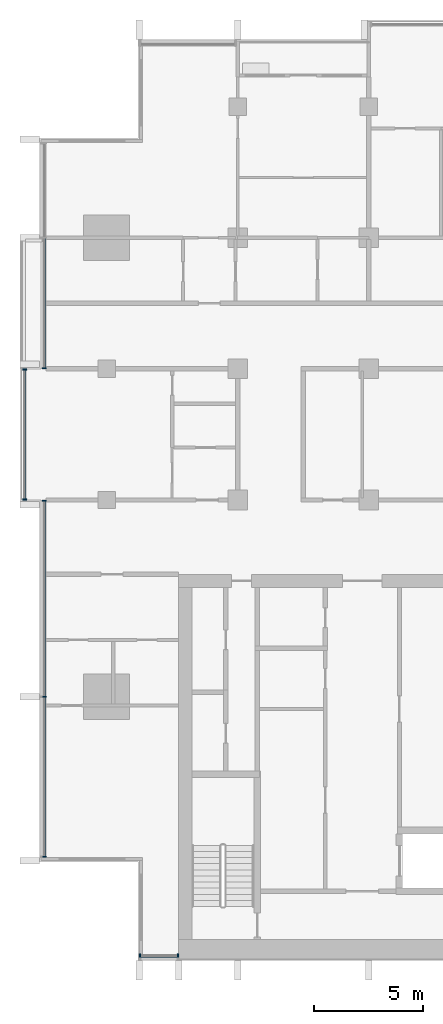
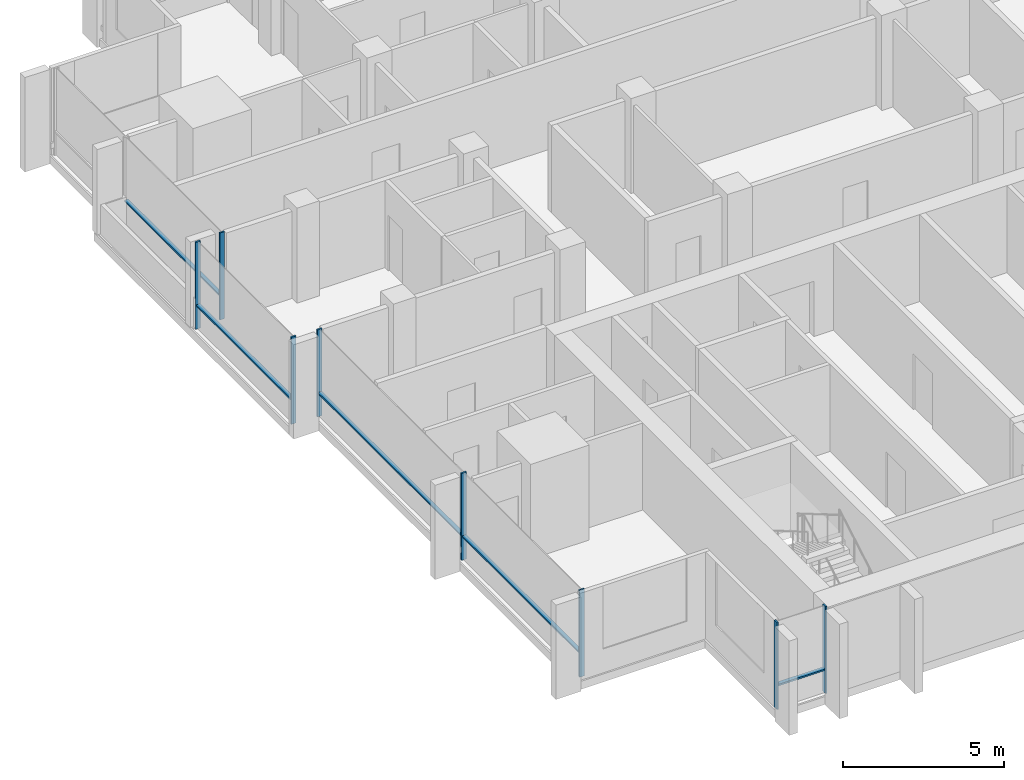
# One storey, part 2 of 16: 13 members, 4 elements without a shape of their own.
"""IFC4 building model written with IfcOpenShell, lengths in metres."""

from ifc_helpers import new_model, si_unit, direction, frame, origin, origin_2d, place, context, subcontext, project, spatial, rectangle, extrude, material, material_profile, profile_set, type_object, element, aggregate, save


model = new_model("IFC4")

# Units and contexts
model_context = context("Model", 3, precision=1e-05, world=origin(), true_north=direction((0.0, 1.0)))
body_context = subcontext(model_context, "Body", "Model", "MODEL_VIEW")
ifc_project = project(units=[si_unit("LENGTHUNIT", "METRE"), si_unit("AREAUNIT", "SQUARE_METRE"), si_unit("VOLUMEUNIT", "CUBIC_METRE"), si_unit("PLANEANGLEUNIT", "RADIAN"), si_unit("MASSUNIT", "GRAM", prefix="KILO")], contexts=[model_context])

# Site, building, storey
site_placement = place(None, origin())
site = spatial("IfcSite", under=ifc_project, at=site_placement, CompositionType="ELEMENT")
building_placement = place(site_placement, origin())
building = spatial("IfcBuilding", under=site, at=building_placement, Name="Finial Court Residences", CompositionType="ELEMENT")
storey_placement = place(building_placement, frame((0.0, 0.0, 237.5)))
storey = spatial("IfcBuildingStorey", under=building, at=storey_placement, Name="L60", CompositionType="ELEMENT", Elevation=237.5)

# Curtain wall, members
ifc_material = material(Name="Bronze anodised aluminium", Category="aluminium")
curtain_wall_type = type_object("IfcCurtainWallType", Name="Unitised curtain wall, upper zones", PredefinedType="NOTDEFINED", material=ifc_material)
curtain_wall_1_placement = place(storey_placement, origin())
curtain_wall_1 = element("IfcCurtainWall", 1, at=curtain_wall_1_placement, inside=storey, type_object=curtain_wall_type, Name="E-L60-CW-S8", PredefinedType="NOTDEFINED")
ifc_material_profile_1 = material_profile(ifc_material, rectangle(XDim=0.175048828125, YDim=0.06005859375, at=origin_2d()), Name="CW2 mullion 60 x 175")
ifc_profile_set_1 = profile_set([ifc_material_profile_1], Name="Bronze anodised aluminium")
member_type_1 = type_object("IfcMemberType", Name="CW2 mullion 60 x 175", PredefinedType="MULLION", material=ifc_profile_set_1)
member_1_placement = place(storey_placement, frame((-14.969970703125, -25.35009765625, 0.0), z_axis=(0.0, 0.0, 1.0), x_axis=(0.0, 1.0, 0.0)))
member_1 = element("IfcMember", 2, at=member_1_placement, type_object=member_type_1, Name="CW2 mullion 1", PredefinedType="MULLION", context=body_context, shape_type="SweptSolid", body=[
    extrude(rectangle(XDim=0.175048828125, YDim=0.06005859375, at=origin_2d()), origin(), (0.0, 0.0, 1.0), 3.300048828125),
])
member_2_placement = place(storey_placement, frame((-13.22998046875, -25.35009765625, 0.0), z_axis=(0.0, 0.0, 1.0), x_axis=(0.0, 1.0, 0.0)))
member_2 = element("IfcMember", 3, at=member_2_placement, type_object=member_type_1, Name="CW2 mullion 2", PredefinedType="MULLION", context=body_context, shape_type="SweptSolid", body=[
    extrude(rectangle(XDim=0.175048828125, YDim=0.06005859375, at=origin_2d()), origin(), (0.0, 0.0, 1.0), 3.300048828125),
])

curtain_wall_2_placement = place(storey_placement, origin())
curtain_wall_2 = element("IfcCurtainWall", 4, at=curtain_wall_2_placement, inside=storey, type_object=curtain_wall_type, Name="E-L60-CW-W10", PredefinedType="NOTDEFINED")
member_3_placement = place(storey_placement, frame((-19.35009765625, -20.820068359375, 0.0), z_axis=(0.0, 0.0, 1.0), x_axis=(-1.0, 0.0, 0.0)))
member_3 = element("IfcMember", 5, at=member_3_placement, type_object=member_type_1, Name="CW2 mullion 1", PredefinedType="MULLION", context=body_context, shape_type="SweptSolid", body=[
    extrude(rectangle(XDim=0.175048828125, YDim=0.06005859375, at=origin_2d()), origin(), (0.0, 0.0, 1.0), 3.300048828125),
])
member_4_placement = place(storey_placement, frame((-19.35009765625, -13.5, 0.0), z_axis=(0.0, 0.0, 1.0), x_axis=(-1.0, 0.0, 0.0)))
member_4 = element("IfcMember", 6, at=member_4_placement, type_object=member_type_1, Name="CW2 mullion 2", PredefinedType="MULLION", context=body_context, shape_type="SweptSolid", body=[
    extrude(rectangle(XDim=0.175048828125, YDim=0.06005859375, at=origin_2d()), origin(), (0.0, 0.0, 1.0), 3.300048828125),
])
member_5_placement = place(storey_placement, frame((-19.35009765625, -4.530029296875, 0.0), z_axis=(0.0, 0.0, 1.0), x_axis=(-1.0, 0.0, 0.0)))
member_5 = element("IfcMember", 7, at=member_5_placement, type_object=member_type_1, Name="CW2 mullion 3", PredefinedType="MULLION", context=body_context, shape_type="SweptSolid", body=[
    extrude(rectangle(XDim=0.175048828125, YDim=0.06005859375, at=origin_2d()), origin(), (0.0, 0.0, 1.0), 3.300048828125),
])

curtain_wall_3_placement = place(storey_placement, origin())
curtain_wall_3 = element("IfcCurtainWall", 8, at=curtain_wall_3_placement, inside=storey, type_object=curtain_wall_type, Name="E-L60-CW-W11", PredefinedType="NOTDEFINED")
member_6_placement = place(storey_placement, frame((-20.25, -4.469970703125, 0.0), z_axis=(0.0, 0.0, 1.0), x_axis=(-1.0, 0.0, 0.0)))
member_6 = element("IfcMember", 9, at=member_6_placement, type_object=member_type_1, Name="CW2 mullion 1", PredefinedType="MULLION", context=body_context, shape_type="SweptSolid", body=[
    extrude(rectangle(XDim=0.175048828125, YDim=0.06005859375, at=origin_2d()), origin(), (0.0, 0.0, 1.0), 3.300048828125),
])
member_7_placement = place(storey_placement, frame((-20.25, 1.469970703125, 0.0), z_axis=(0.0, 0.0, 1.0), x_axis=(-1.0, 0.0, 0.0)))
member_7 = element("IfcMember", 10, at=member_7_placement, type_object=member_type_1, Name="CW2 mullion 2", PredefinedType="MULLION", context=body_context, shape_type="SweptSolid", body=[
    extrude(rectangle(XDim=0.175048828125, YDim=0.06005859375, at=origin_2d()), origin(), (0.0, 0.0, 1.0), 3.300048828125),
])

# Curtain wall, member
curtain_wall_4_placement = place(storey_placement, origin())
curtain_wall_4 = element("IfcCurtainWall", 11, at=curtain_wall_4_placement, inside=storey, type_object=curtain_wall_type, Name="E-L60-CW-W12", PredefinedType="NOTDEFINED")
member_8_placement = place(storey_placement, frame((-19.35009765625, 1.530029296875, 0.0), z_axis=(0.0, 0.0, 1.0), x_axis=(-1.0, 0.0, 0.0)))
member_8 = element("IfcMember", 12, at=member_8_placement, type_object=member_type_1, Name="CW2 mullion 1", PredefinedType="MULLION", context=body_context, shape_type="SweptSolid", body=[
    extrude(rectangle(XDim=0.175048828125, YDim=0.06005859375, at=origin_2d()), origin(), (0.0, 0.0, 1.0), 3.300048828125),
])

# Member
ifc_material_profile_2 = material_profile(ifc_material, rectangle(XDim=0.139892578125, YDim=0.06005859375, at=origin_2d()), Name="CW2 transom 60 x 140")
ifc_profile_set_2 = profile_set([ifc_material_profile_2], Name="Bronze anodised aluminium")
member_type_2 = type_object("IfcMemberType", Name="CW2 transom 60 x 140", PredefinedType="USERDEFINED", material=ifc_profile_set_2)
member_9_placement = place(storey_placement, frame((-14.93994140625, -25.35009765625, 0.89990234375), z_axis=(1.0, 0.0, 0.0), x_axis=(0.0, 1.0, 0.0)))
member_9 = element("IfcMember", 13, at=member_9_placement, type_object=member_type_2, Name="CW2 transom 1.1", ObjectType="TRANSOM", PredefinedType="USERDEFINED", context=body_context, shape_type="SweptSolid", body=[
    extrude(rectangle(XDim=0.139892578125, YDim=0.06005859375, at=origin_2d()), origin(), (0.0, 0.0, 1.0), 1.679931640625),
])

aggregate(curtain_wall_1, [member_1, member_2, member_9])

member_10_placement = place(storey_placement, frame((-19.35009765625, -20.7900390625, 0.89990234375), z_axis=(0.0, 1.0, 0.0), x_axis=(-1.0, 0.0, 0.0)))
member_10 = element("IfcMember", 14, at=member_10_placement, type_object=member_type_2, Name="CW2 transom 1.1", ObjectType="TRANSOM", PredefinedType="USERDEFINED", context=body_context, shape_type="SweptSolid", body=[
    extrude(rectangle(XDim=0.139892578125, YDim=0.06005859375, at=origin_2d()), origin(), (0.0, 0.0, 1.0), 7.260009765625),
])

member_11_placement = place(storey_placement, frame((-19.35009765625, -13.469970703125, 0.89990234375), z_axis=(0.0, 1.0, 0.0), x_axis=(-1.0, 0.0, 0.0)))
member_11 = element("IfcMember", 15, at=member_11_placement, type_object=member_type_2, Name="CW2 transom 2.1", ObjectType="TRANSOM", PredefinedType="USERDEFINED", context=body_context, shape_type="SweptSolid", body=[
    extrude(rectangle(XDim=0.139892578125, YDim=0.06005859375, at=origin_2d()), origin(), (0.0, 0.0, 1.0), 8.909912109375),
])

aggregate(curtain_wall_2, [member_3, member_4, member_5, member_10, member_11])

member_12_placement = place(storey_placement, frame((-20.25, -4.43994140625, 0.89990234375), z_axis=(0.0, 1.0, 0.0), x_axis=(-1.0, 0.0, 0.0)))
member_12 = element("IfcMember", 16, at=member_12_placement, type_object=member_type_2, Name="CW2 transom 1.1", ObjectType="TRANSOM", PredefinedType="USERDEFINED", context=body_context, shape_type="SweptSolid", body=[
    extrude(rectangle(XDim=0.139892578125, YDim=0.06005859375, at=origin_2d()), origin(), (0.0, 0.0, 1.0), 5.8798828125),
])

aggregate(curtain_wall_3, [member_6, member_7, member_12])

member_13_placement = place(storey_placement, frame((-19.35009765625, 1.56005859375, 0.89990234375), z_axis=(0.0, 1.0, 0.0), x_axis=(-1.0, 0.0, 0.0)))
member_13 = element("IfcMember", 17, at=member_13_placement, type_object=member_type_2, Name="CW2 transom 1.1", ObjectType="TRANSOM", PredefinedType="USERDEFINED", context=body_context, shape_type="SweptSolid", body=[
    extrude(rectangle(XDim=0.139892578125, YDim=0.06005859375, at=origin_2d()), origin(), (0.0, 0.0, 1.0), 5.909912109375),
])

aggregate(curtain_wall_4, [member_8, member_13])

save(model, "model.ifc")
